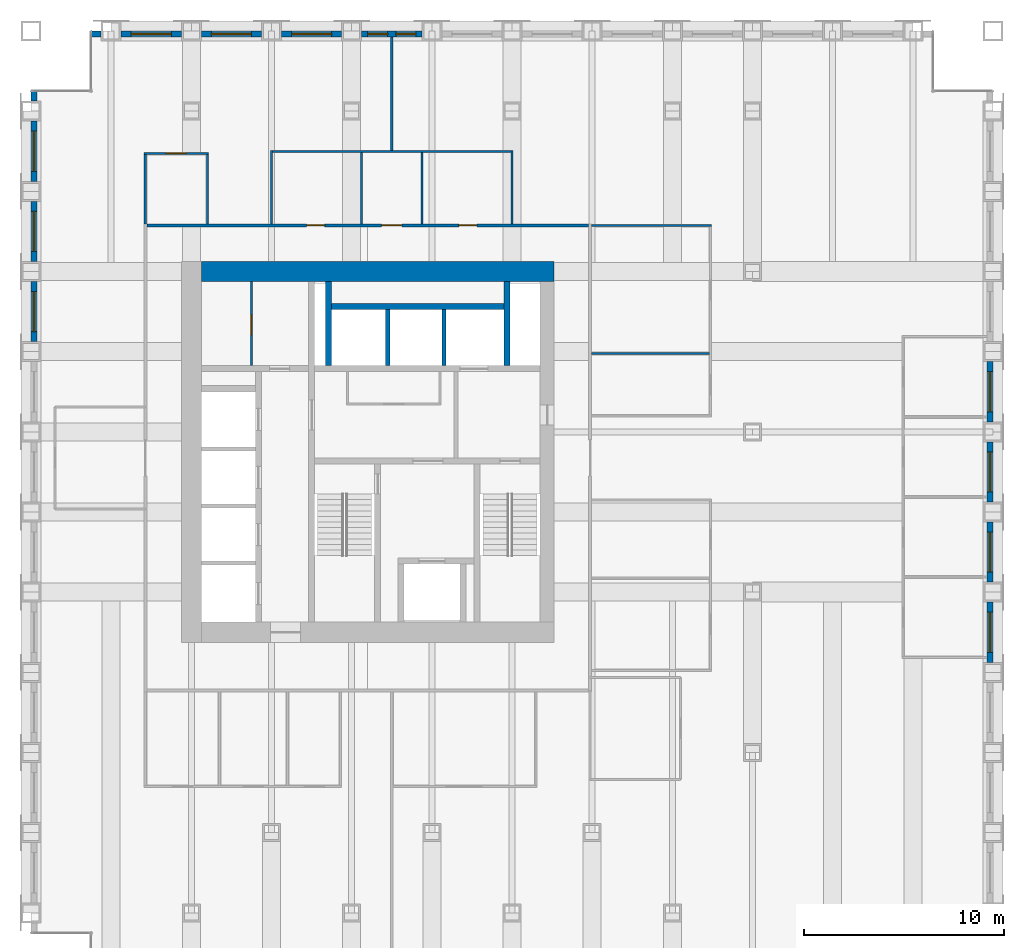
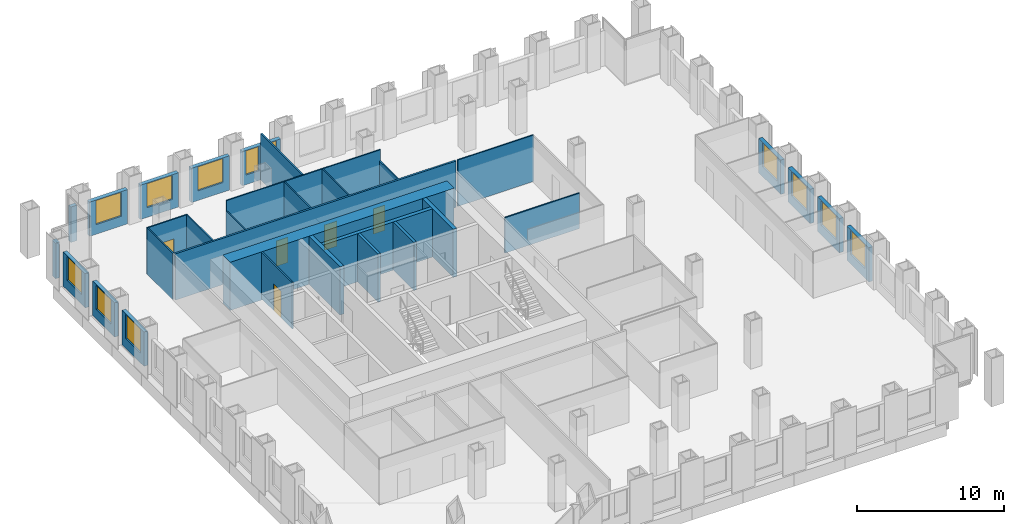
# One storey, part 13 of 16: 32 walls, 12 windows, 5 doors, 17 openings.
"""IFC4 building model written with IfcOpenShell, lengths in metres."""

import ifcopenshell
import ifcopenshell.guid

model = None  # the IFC model being written
_history = None  # IfcOwnerHistory: only IFC2X3 demands one
_inside = {}  # id of a spatial element -> (the spatial element, [elements in it])
_under = {}  # id of a project, library or spatial element -> (it, [spatial elements below it])
_declared = {}  # id of a project -> (the project, [libraries it declares])
_typed = {}  # id of a type object -> (the type object, [elements of that type])
_made_of = {}  # id of a material, layer set ... -> (it, [elements and type objects made of it])


def new_model(schema):
    """Start an empty IFC model of exactly this schema.

    Asked for "IFC4X3", IfcOpenShell would pick the latest addendum, in which some entities
    have other attributes; the version numbers below select the first issue.
    IFC2X3 requires an IfcOwnerHistory on every rooted entity: one is made here for all.
    """
    global model, _history
    if schema == "IFC4X3":
        model = ifcopenshell.file(schema_version=(4, 3, 0, 0))
    else:
        model = ifcopenshell.file(schema=schema)
    _inside.clear()
    _under.clear()
    _declared.clear()
    _typed.clear()
    _made_of.clear()
    _history = None
    if model.schema == "IFC2X3":
        org = make("IfcOrganization", Name="unknown")
        user = make(
            "IfcPersonAndOrganization",
            ThePerson=make("IfcPerson", FamilyName="unknown"),
            TheOrganization=org,
        )
        app = make(
            "IfcApplication",
            ApplicationDeveloper=org,
            Version="unknown",
            ApplicationFullName="unknown",
            ApplicationIdentifier="unknown",
        )
        _history = make(
            "IfcOwnerHistory",
            OwningUser=user,
            OwningApplication=app,
            ChangeAction="ADDED",
            CreationDate=0,
        )
    return model


def make(cls, **values):
    """One entity of the class cls with the attributes given. An attribute that is None is left unset."""
    return model.create_entity(
        cls, **{name: value for name, value in values.items() if value is not None}
    )


def rooted(cls, **values):
    """An entity with a GlobalId (a new one), such as an element, a storey or a relation."""
    return make(cls, GlobalId=ifcopenshell.guid.new(), OwnerHistory=_history, **values)


def si_unit(unit_type, name, prefix=None):
    """IfcSIUnit, for example si_unit("LENGTHUNIT", "METRE", prefix="MILLI")."""
    return make("IfcSIUnit", UnitType=unit_type, Prefix=prefix, Name=name)


def assignment(units):
    """IfcUnitAssignment: the units of a project."""
    return None if units is None else make("IfcUnitAssignment", Units=units)


def point(xyz):
    """IfcCartesianPoint."""
    return None if xyz is None else make("IfcCartesianPoint", Coordinates=xyz)


def direction(xyz):
    """IfcDirection."""
    return None if xyz is None else make("IfcDirection", DirectionRatios=xyz)


def frame(location, z_axis=None, x_axis=None):
    """IfcAxis2Placement3D, a coordinate frame: its origin and axes. An axis left out is left unset."""
    return make(
        "IfcAxis2Placement3D",
        Location=point(location),
        Axis=direction(z_axis),
        RefDirection=direction(x_axis),
    )


def frame_2d(location, x_axis=None):
    """IfcAxis2Placement2D, a coordinate frame in the plane: its origin and x axis."""
    return make(
        "IfcAxis2Placement2D", Location=point(location), RefDirection=direction(x_axis)
    )


def origin():
    """The frame at (0, 0, 0) with its axes left unset."""
    return frame((0.0, 0.0, 0.0))


def place(relative_to, where):
    """IfcLocalPlacement: puts the frame where relative to a parent placement (None: the world)."""
    return make(
        "IfcLocalPlacement", PlacementRelTo=relative_to, RelativePlacement=where
    )


def context(
    kind, dimensions, precision=None, world=None, true_north=None, identifier=None
):
    """IfcGeometricRepresentationContext, for example the 3D "Model" context."""
    return make(
        "IfcGeometricRepresentationContext",
        ContextIdentifier=identifier,
        ContextType=kind,
        CoordinateSpaceDimension=dimensions,
        Precision=precision,
        WorldCoordinateSystem=world,
        TrueNorth=true_north,
    )


def subcontext(parent, identifier, kind, view, scale=None):
    """IfcGeometricRepresentationSubContext, for example "Body" below "Model"."""
    return make(
        "IfcGeometricRepresentationSubContext",
        ContextIdentifier=identifier,
        ContextType=kind,
        ParentContext=parent,
        TargetScale=scale,
        TargetView=view,
    )


def project(units=None, contexts=None):
    """IfcProject with its units and contexts."""
    return rooted(
        "IfcProject",
        Name="project",
        RepresentationContexts=contexts,
        UnitsInContext=assignment(units),
    )


def spatial(cls, under=None, at=None, **own):
    """A site, building, storey or space (cls), placed at a placement, below another one or the project."""
    s = rooted(cls, ObjectPlacement=at, **own)
    if under is not None:
        _under.setdefault(under.id(), (under, []))[1].append(s)
    return s


def profile(cls, at=None, kind="AREA", **sizes):
    """A parametric profile (cls). Its sizes go by their IFC names, for example OverallWidth=200.0."""
    return make(cls, ProfileType=kind, Position=at, **sizes)


def rectangle(**sizes):
    """IfcRectangleProfileDef."""
    return profile("IfcRectangleProfileDef", **sizes)


def extrude(swept, where, along, depth):
    """IfcExtrudedAreaSolid: the profile swept, set in the frame where, extruded along a direction by depth."""
    return make(
        "IfcExtrudedAreaSolid",
        SweptArea=swept,
        Position=where,
        ExtrudedDirection=direction(along),
        Depth=depth,
    )


def shape(context_of_items, identifier, shape_type, items):
    """IfcShapeRepresentation: the items that make up one representation, for example the "Body"."""
    return make(
        "IfcShapeRepresentation",
        ContextOfItems=context_of_items,
        RepresentationIdentifier=identifier,
        RepresentationType=shape_type,
        Items=items,
    )


def material(Name=None, Category=None):
    """IfcMaterial."""
    return make("IfcMaterial", Name=Name, Category=Category)


def layer(
    of_material, thickness, ventilated=None, Name=None, Category=None, Priority=None
):
    """IfcMaterialLayer: one layer of a wall or slab, of a material (None: an air gap)."""
    return make(
        "IfcMaterialLayer",
        Material=of_material,
        LayerThickness=thickness,
        IsVentilated=ventilated,
        Name=Name,
        Category=Category,
        Priority=Priority,
    )


def layer_set(layers, Name=None):
    """IfcMaterialLayerSet."""
    return make("IfcMaterialLayerSet", MaterialLayers=layers, LayerSetName=Name)


def made_of(thing, what):
    """Note that an element or type object is made of a material, layer set ...; save() writes the relation."""
    if what is not None:
        _made_of.setdefault(what.id(), (what, []))[1].append(thing)
    return thing


def type_object(cls, material=None, **own):
    """A type object (cls), such as IfcWallType, which elements share."""
    return made_of(rooted(cls, **own), material)


def element(
    cls,
    number,
    at=None,
    inside=None,
    cuts=None,
    type_object=None,
    material=None,
    context=None,
    identifier="Body",
    shape_type=None,
    held_by="IfcProductDefinitionShape",
    body=None,
    shapes=None,
    **own,
):
    """One element of the class cls, such as IfcWall. Its Tag is "e" and its number.

    at: its placement. inside: the storey or other place that contains it. cuts: it is an
    opening in that element (IfcRelVoidsElement). A single representation is given by context,
    identifier, shape_type and body (its items); several are given by shapes. held_by: the class
    of the entity that holds the representations. save() writes the other relations.
    """
    e = rooted(cls, Tag="e%d" % number, ObjectPlacement=at, **own)
    if body is not None:
        shapes = [shape(context, identifier, shape_type, body)]
    if shapes is not None:
        e.Representation = make(held_by, Representations=shapes)
    if inside is not None:
        _inside.setdefault(inside.id(), (inside, []))[1].append(e)
    if cuts is not None:
        rooted(
            "IfcRelVoidsElement", RelatingBuildingElement=cuts, RelatedOpeningElement=e
        )
    if type_object is not None:
        _typed.setdefault(type_object.id(), (type_object, []))[1].append(e)
    return made_of(e, material)


def fill(opening, filler):
    """IfcRelFillsElement: the door or window that sits in an opening."""
    return rooted(
        "IfcRelFillsElement",
        RelatingOpeningElement=opening,
        RelatedBuildingElement=filler,
    )


def aggregate(whole, parts):
    """IfcRelAggregates: a whole, such as a stair, and the parts it consists of."""
    return rooted("IfcRelAggregates", RelatingObject=whole, RelatedObjects=parts)


def save(model, path):
    """Write the relations noted so far, then the file.

    IfcRelAggregates (storeys below a building ...), IfcRelContainedInSpatialStructure (elements
    in a storey), IfcRelDefinesByType, IfcRelAssociatesMaterial and IfcRelDeclares: one each for
    every whole, place, type object, material and project.
    """
    for whole, parts in _under.values():
        aggregate(whole, parts)
    for where, things in _inside.values():
        rooted(
            "IfcRelContainedInSpatialStructure",
            RelatedElements=things,
            RelatingStructure=where,
        )
    for kind, things in _typed.values():
        rooted("IfcRelDefinesByType", RelatedObjects=things, RelatingType=kind)
    for what, things in _made_of.values():
        rooted("IfcRelAssociatesMaterial", RelatedObjects=things, RelatingMaterial=what)
    for by, libraries in _declared.values():
        rooted("IfcRelDeclares", RelatingContext=by, RelatedDefinitions=libraries)
    model.write(path)


model = new_model("IFC4")

# Units and contexts
model_context = context("Model", 3, precision=1e-05, world=origin(), true_north=direction((0.0, 1.0)))
body_context = subcontext(model_context, "Body", "Model", "MODEL_VIEW")
ifc_project = project(units=[si_unit("LENGTHUNIT", "METRE"), si_unit("AREAUNIT", "SQUARE_METRE"), si_unit("VOLUMEUNIT", "CUBIC_METRE"), si_unit("PLANEANGLEUNIT", "RADIAN"), si_unit("MASSUNIT", "GRAM", prefix="KILO")], contexts=[model_context])

# Site, building, storey
site_placement = place(None, origin())
site = spatial("IfcSite", under=ifc_project, at=site_placement, CompositionType="ELEMENT")
building_placement = place(site_placement, origin())
building = spatial("IfcBuilding", under=site, at=building_placement, Name="Rimbunsela Tower", CompositionType="ELEMENT")
storey_placement = place(building_placement, frame((0.0, 0.0, 81.39990234375)))
storey = spatial("IfcBuildingStorey", under=building, at=storey_placement, Name="L19", CompositionType="ELEMENT", Elevation=81.39990234375)

# Walls
ifc_material_1 = material(Name="Concrete fc' 80 MPa", Category="concrete")
ifc_layer_1 = layer(ifc_material_1, 0.300048828125)
ifc_layer_set_1 = layer_set([ifc_layer_1], Name="Core internal wall 300")
wall_type_1 = type_object("IfcWallType", Name="Core internal wall 300", PredefinedType="SHEAR", material=ifc_layer_set_1)
for number, where, z_axis, x_axis, name in (
    (1, (24.85009765625, 31.300048828125, -0.14990234375), (0.0, 0.0, 1.0), (0.0, 1.0, 0.0), "Riser wall"),
    (2, (33.75, 31.300048828125, -0.14990234375), (0.0, 0.0, 1.0), (0.0, 1.0, 0.0), "Riser wall"),
):
    element("IfcWall", number, at=place(storey_placement, frame(where, z_axis=z_axis, x_axis=x_axis)), inside=storey, type_object=wall_type_1, Name=name, PredefinedType="SHEAR", context=body_context, shape_type="SweptSolid", body=[
        extrude(rectangle(XDim=4.199951171875, YDim=0.300048828125, at=frame_2d((2.10009765625, 0.0))), origin(), (0.0, 0.0, 1.0), 4.0),
    ])
wall_1_placement = place(storey_placement, frame((25.0, 34.25, -0.14990234375), z_axis=(0.0, 0.0, 1.0), x_axis=(1.0, 0.0, 0.0)))
element("IfcWall", 3, at=wall_1_placement, inside=storey, type_object=wall_type_1, Name="Lift shaft rear north", PredefinedType="SHEAR", context=body_context, shape_type="SweptSolid", body=[
    extrude(rectangle(XDim=8.60009765625, YDim=0.300048828125, at=frame_2d((4.300048828125, 0.0))), origin(), (0.0, 0.0, 1.0), 4.0),
])

# Wall, opening, door
ifc_material_2 = material(Name="Concrete blockwork", Category="masonry")
ifc_layer_2 = layer(ifc_material_2, 0.10009765625)
ifc_layer_set_2 = layer_set([ifc_layer_2], Name="Core room partition 100")
wall_type_2 = type_object("IfcWallType", Name="Core room partition 100", PredefinedType="PARTITIONING", material=ifc_layer_set_2)
wall_2_placement = place(storey_placement, frame((21.0, 31.300048828125, 0.0), z_axis=(0.0, 0.0, 1.0), x_axis=(0.0, 1.0, 0.0)))
wall_2 = element("IfcWall", 4, at=wall_2_placement, inside=storey, type_object=wall_type_2, Name="Housekeeping store wall", PredefinedType="PARTITIONING", context=body_context, shape_type="SweptSolid", body=[
    extrude(rectangle(XDim=4.199951171875, YDim=0.10009765625, at=frame_2d((2.10009765625, 0.0))), origin(), (0.0, 0.0, 1.0), 3.85009765625),
])
opening_1_placement = place(wall_2_placement, frame((1.550048828125, 0.0, 0.0)))
opening_1 = element("IfcOpeningElement", 5, at=opening_1_placement, cuts=wall_2, Name="Opening D19", PredefinedType="OPENING", context=body_context, shape_type="SweptSolid", body=[
    extrude(rectangle(XDim=1.0, YDim=2.199951171875, at=frame_2d((0.5, 1.10009765625))), frame((0.0, 0.06005859375, 0.0), z_axis=(0.0, -1.0, 0.0), x_axis=(1.0, 0.0, 0.0)), (0.0, 0.0, 1.0), 0.1201171875),
])
ifc_material_3 = material(Name="Steel door, fire rated", Category="steel")
door_type_1 = type_object("IfcDoorType", Name="Service door 1000 fire rated", OperationType="SINGLE_SWING_LEFT", PredefinedType="DOOR", material=ifc_material_3)
door_1_placement = place(opening_1_placement, origin())
door_1 = element("IfcDoor", 6, at=door_1_placement, inside=storey, type_object=door_type_1, Name="Housekeeping store door", OperationType="SINGLE_SWING_LEFT", OverallHeight=2.199951171875, OverallWidth=1.0, PredefinedType="DOOR", context=body_context, shape_type="SweptSolid", body=[
    extrude(rectangle(XDim=1.0, YDim=2.199951171875, at=frame_2d((0.5, 1.10009765625))), frame((0.0, 0.02490234375, 0.0), z_axis=(0.0, -1.0, 0.0), x_axis=(1.0, 0.0, 0.0)), (0.0, 0.0, 1.0), 0.050048828125),
])
fill(opening_1, door_1)

# Walls
ifc_material_4 = material(Name="Concrete fc' 80 MPa", Category="concrete")
ifc_layer_3 = layer(ifc_material_4, 1.0)
ifc_layer_set_3 = layer_set([ifc_layer_3], Name="Core wall 1000")
wall_type_3 = type_object("IfcWallType", Name="Core wall 1000", PredefinedType="SHEAR", material=ifc_layer_set_3)
wall_3_placement = place(storey_placement, frame((18.5, 36.0, -0.14990234375), z_axis=(0.0, 0.0, 1.0), x_axis=(1.0, 0.0, 0.0)))
element("IfcWall", 7, at=wall_3_placement, inside=storey, type_object=wall_type_3, Name="Core wall north", PredefinedType="SHEAR", context=body_context, shape_type="SweptSolid", body=[
    extrude(rectangle(XDim=17.60009765625, YDim=1.0, at=frame_2d((8.800048828125, 0.0))), origin(), (0.0, 0.0, 1.0), 4.0),
])
ifc_material_5 = material(Name="Concrete blockwork", Category="masonry")
ifc_layer_4 = layer(ifc_material_5, 0.199951171875)
ifc_layer_set_4 = layer_set([ifc_layer_4], Name="Lift shaft wall 200")
wall_type_4 = type_object("IfcWallType", Name="Lift shaft wall 200", PredefinedType="SOLIDWALL", material=ifc_layer_set_4)
for number, where, z_axis, x_axis, name in (
    (8, (27.800048828125, 31.300048828125, -0.14990234375), (0.0, 0.0, 1.0), (0.0, 1.0, 0.0), "Lift shaft separation"),
    (9, (30.60009765625, 31.300048828125, -0.14990234375), (0.0, 0.0, 1.0), (0.0, 1.0, 0.0), "Lift shaft separation"),
):
    element("IfcWall", number, at=place(storey_placement, frame(where, z_axis=z_axis, x_axis=x_axis)), inside=storey, type_object=wall_type_4, Name=name, PredefinedType="SOLIDWALL", context=body_context, shape_type="SweptSolid", body=[
        extrude(rectangle(XDim=2.800048828125, YDim=0.199951171875, at=frame_2d((1.39990234375, 0.0))), origin(), (0.0, 0.0, 1.0), 4.0),
    ])
ifc_material_6 = material(Name="Gypsum board on steel studs", Category="steel")
ifc_layer_5 = layer(ifc_material_6, 0.10009765625)
ifc_layer_set_5 = layer_set([ifc_layer_5], Name="Office partition 100")
wall_type_5 = type_object("IfcWallType", Name="Office partition 100", PredefinedType="PARTITIONING", material=ifc_layer_set_5)
wall_4_placement = place(storey_placement, frame((37.97509765625, 31.89990234375, 0.0), z_axis=(0.0, 0.0, 1.0), x_axis=(1.0, 0.0, 0.0)))
element("IfcWall", 10, at=wall_4_placement, inside=storey, type_object=wall_type_5, Name="Office partition", PredefinedType="PARTITIONING", context=body_context, shape_type="SweptSolid", body=[
    extrude(rectangle(XDim=5.875, YDim=0.10009765625, at=frame_2d((2.9375, 0.0))), origin(), (0.0, 0.0, 1.0), 2.9501953125),
])
wall_5_placement = place(storey_placement, frame((37.97509765625, 38.300048828125, 0.0), z_axis=(0.0, 0.0, 1.0), x_axis=(1.0, 0.0, 0.0)))
element("IfcWall", 11, at=wall_5_placement, inside=storey, type_object=wall_type_5, Name="Office partition", PredefinedType="PARTITIONING", context=body_context, shape_type="SweptSolid", body=[
    extrude(rectangle(XDim=5.974853515625, YDim=0.10009765625, at=frame_2d((2.9873046875, 0.0))), origin(), (0.0, 0.0, 1.0), 3.85009765625),
])

# Wall, opening, door
wall_6_placement = place(storey_placement, frame((15.64990234375, 41.89990234375, 0.0), z_axis=(0.0, 0.0, 1.0), x_axis=(1.0, 0.0, 0.0)))
wall_6 = element("IfcWall", 12, at=wall_6_placement, inside=storey, type_object=wall_type_5, Name="Office partition", PredefinedType="PARTITIONING", context=body_context, shape_type="SweptSolid", body=[
    extrude(rectangle(XDim=3.2001953125, YDim=0.10009765625, at=frame_2d((1.60009765625, 0.0))), origin(), (0.0, 0.0, 1.0), 3.85009765625),
])
opening_2_placement = place(wall_6_placement, frame((1.10009765625, 0.0, 0.0)))
opening_2 = element("IfcOpeningElement", 13, at=opening_2_placement, cuts=wall_6, Name="Opening D16", PredefinedType="OPENING", context=body_context, shape_type="SweptSolid", body=[
    extrude(rectangle(XDim=1.0, YDim=2.199951171875, at=frame_2d((0.5, 1.10009765625))), frame((0.0, 0.06005859375, 0.0), z_axis=(0.0, -1.0, 0.0), x_axis=(1.0, 0.0, 0.0)), (0.0, 0.0, 1.0), 0.1201171875),
])
ifc_material_7 = material(Name="Timber door", Category="wood")
door_type_2 = type_object("IfcDoorType", Name="Office door 1000", OperationType="SINGLE_SWING_LEFT", PredefinedType="DOOR", material=ifc_material_7)
door_2_placement = place(opening_2_placement, origin())
door_2 = element("IfcDoor", 14, at=door_2_placement, inside=storey, type_object=door_type_2, Name="Office door", OperationType="SINGLE_SWING_LEFT", OverallHeight=2.199951171875, OverallWidth=1.0, PredefinedType="DOOR", context=body_context, shape_type="SweptSolid", body=[
    extrude(rectangle(XDim=1.0, YDim=2.199951171875, at=frame_2d((0.5, 1.10009765625))), frame((0.0, 0.02490234375, 0.0), z_axis=(0.0, -1.0, 0.0), x_axis=(1.0, 0.0, 0.0)), (0.0, 0.0, 1.0), 0.050048828125),
])
fill(opening_2, door_2)

# Walls
for number, where, z_axis, x_axis, name in (
    (15, (15.699951171875, 38.375, 0.0), (0.0, 0.0, 1.0), (0.0, 1.0, 0.0), "Office partition"),
    (16, (18.800048828125, 38.375, 0.0), (0.0, 0.0, 1.0), (0.0, 1.0, 0.0), "Office partition"),
):
    element("IfcWall", number, at=place(storey_placement, frame(where, z_axis=z_axis, x_axis=x_axis)), inside=storey, type_object=wall_type_5, Name=name, PredefinedType="PARTITIONING", context=body_context, shape_type="SweptSolid", body=[
        extrude(rectangle(XDim=3.47509765625, YDim=0.10009765625, at=frame_2d((1.737548828125, 0.0))), origin(), (0.0, 0.0, 1.0), 3.85009765625),
    ])

# Wall, opening, window
ifc_material_8 = material(Name="Precast concrete fc' 35 MPa", Category="concrete")
ifc_layer_6 = layer(ifc_material_8, 0.300048828125)
ifc_layer_set_6 = layer_set([ifc_layer_6], Name="Precast concrete fc' 35 MPa")
wall_type_6 = type_object("IfcWallType", Name="Precast facade panel 300", PredefinedType="ELEMENTEDWALL", material=ifc_layer_set_6)
wall_7_placement = place(storey_placement, frame((57.85009765625, 16.5, 0.0), z_axis=(0.0, 0.0, 1.0), x_axis=(0.0, 1.0, 0.0)))
wall_7 = element("IfcWall", 17, at=wall_7_placement, inside=storey, type_object=wall_type_6, Name="Facade panel E L19", PredefinedType="ELEMENTEDWALL", context=body_context, shape_type="SweptSolid", body=[
    extrude(rectangle(XDim=3.0, YDim=0.300048828125, at=frame_2d((1.5, 0.0))), origin(), (0.0, 0.0, 1.0), 2.85009765625),
])
opening_3_placement = place(wall_7_placement, frame((0.5, 0.0, 0.800048828125)))
opening_3 = element("IfcOpeningElement", 18, at=opening_3_placement, cuts=wall_7, Name="Opening W1", PredefinedType="OPENING", context=body_context, shape_type="SweptSolid", body=[
    extrude(rectangle(XDim=2.0, YDim=2.0, at=frame_2d((1.0, 1.0))), frame((0.0, 0.159912109375, 0.0), z_axis=(0.0, -1.0, 0.0), x_axis=(1.0, 0.0, 0.0)), (0.0, 0.0, 1.0), 0.320068359375),
])
ifc_material_9 = material(Name="Clear glass in aluminium frame", Category="aluminium")
window_type_1 = type_object("IfcWindowType", Name="Window W1 2000x2000", PartitioningType="DOUBLE_PANEL_VERTICAL", PredefinedType="WINDOW", material=ifc_material_9)
window_1_placement = place(opening_3_placement, origin())
window_1 = element("IfcWindow", 19, at=window_1_placement, inside=storey, type_object=window_type_1, Name="Window L19", OverallHeight=2.0, OverallWidth=2.0, PartitioningType="SINGLE_PANEL", PredefinedType="WINDOW", context=body_context, shape_type="SweptSolid", body=[
    extrude(rectangle(XDim=2.0, YDim=2.0, at=frame_2d((1.0, 1.0))), frame((0.0, 0.030029296875, 0.0), z_axis=(0.0, -1.0, 0.0), x_axis=(1.0, 0.0, 0.0)), (0.0, 0.0, 1.0), 0.06005859375),
])
fill(opening_3, window_1)

wall_8_placement = place(storey_placement, frame((57.85009765625, 20.5, 0.0), z_axis=(0.0, 0.0, 1.0), x_axis=(0.0, 1.0, 0.0)))
wall_8 = element("IfcWall", 20, at=wall_8_placement, inside=storey, type_object=wall_type_6, Name="Facade panel E L19", PredefinedType="ELEMENTEDWALL", context=body_context, shape_type="SweptSolid", body=[
    extrude(rectangle(XDim=3.0, YDim=0.300048828125, at=frame_2d((1.5, 0.0))), origin(), (0.0, 0.0, 1.0), 2.85009765625),
])
opening_4_placement = place(wall_8_placement, frame((0.5, 0.0, 0.800048828125)))
opening_4 = element("IfcOpeningElement", 21, at=opening_4_placement, cuts=wall_8, Name="Opening W1", PredefinedType="OPENING", context=body_context, shape_type="SweptSolid", body=[
    extrude(rectangle(XDim=2.0, YDim=2.0, at=frame_2d((1.0, 1.0))), frame((0.0, 0.159912109375, 0.0), z_axis=(0.0, -1.0, 0.0), x_axis=(1.0, 0.0, 0.0)), (0.0, 0.0, 1.0), 0.320068359375),
])
window_2_placement = place(opening_4_placement, origin())
window_2 = element("IfcWindow", 22, at=window_2_placement, inside=storey, type_object=window_type_1, Name="Window L19", OverallHeight=2.0, OverallWidth=2.0, PartitioningType="SINGLE_PANEL", PredefinedType="WINDOW", context=body_context, shape_type="SweptSolid", body=[
    extrude(rectangle(XDim=2.0, YDim=2.0, at=frame_2d((1.0, 1.0))), frame((0.0, 0.030029296875, 0.0), z_axis=(0.0, -1.0, 0.0), x_axis=(1.0, 0.0, 0.0)), (0.0, 0.0, 1.0), 0.06005859375),
])
fill(opening_4, window_2)

wall_9_placement = place(storey_placement, frame((57.85009765625, 24.5, 0.0), z_axis=(0.0, 0.0, 1.0), x_axis=(0.0, 1.0, 0.0)))
wall_9 = element("IfcWall", 23, at=wall_9_placement, inside=storey, type_object=wall_type_6, Name="Facade panel E L19", PredefinedType="ELEMENTEDWALL", context=body_context, shape_type="SweptSolid", body=[
    extrude(rectangle(XDim=3.0, YDim=0.300048828125, at=frame_2d((1.5, 0.0))), origin(), (0.0, 0.0, 1.0), 2.85009765625),
])
opening_5_placement = place(wall_9_placement, frame((0.5, 0.0, 0.800048828125)))
opening_5 = element("IfcOpeningElement", 24, at=opening_5_placement, cuts=wall_9, Name="Opening W1", PredefinedType="OPENING", context=body_context, shape_type="SweptSolid", body=[
    extrude(rectangle(XDim=2.0, YDim=2.0, at=frame_2d((1.0, 1.0))), frame((0.0, 0.159912109375, 0.0), z_axis=(0.0, -1.0, 0.0), x_axis=(1.0, 0.0, 0.0)), (0.0, 0.0, 1.0), 0.320068359375),
])
window_3_placement = place(opening_5_placement, origin())
window_3 = element("IfcWindow", 25, at=window_3_placement, inside=storey, type_object=window_type_1, Name="Window L19", OverallHeight=2.0, OverallWidth=2.0, PartitioningType="SINGLE_PANEL", PredefinedType="WINDOW", context=body_context, shape_type="SweptSolid", body=[
    extrude(rectangle(XDim=2.0, YDim=2.0, at=frame_2d((1.0, 1.0))), frame((0.0, 0.030029296875, 0.0), z_axis=(0.0, -1.0, 0.0), x_axis=(1.0, 0.0, 0.0)), (0.0, 0.0, 1.0), 0.06005859375),
])
fill(opening_5, window_3)

wall_10_placement = place(storey_placement, frame((57.85009765625, 28.5, 0.0), z_axis=(0.0, 0.0, 1.0), x_axis=(0.0, 1.0, 0.0)))
wall_10 = element("IfcWall", 26, at=wall_10_placement, inside=storey, type_object=wall_type_6, Name="Facade panel E L19", PredefinedType="ELEMENTEDWALL", context=body_context, shape_type="SweptSolid", body=[
    extrude(rectangle(XDim=3.0, YDim=0.300048828125, at=frame_2d((1.5, 0.0))), origin(), (0.0, 0.0, 1.0), 2.85009765625),
])
opening_6_placement = place(wall_10_placement, frame((0.5, 0.0, 0.800048828125)))
opening_6 = element("IfcOpeningElement", 27, at=opening_6_placement, cuts=wall_10, Name="Opening W1", PredefinedType="OPENING", context=body_context, shape_type="SweptSolid", body=[
    extrude(rectangle(XDim=2.0, YDim=2.0, at=frame_2d((1.0, 1.0))), frame((0.0, 0.159912109375, 0.0), z_axis=(0.0, -1.0, 0.0), x_axis=(1.0, 0.0, 0.0)), (0.0, 0.0, 1.0), 0.320068359375),
])
window_4_placement = place(opening_6_placement, origin())
window_4 = element("IfcWindow", 28, at=window_4_placement, inside=storey, type_object=window_type_1, Name="Window L19", OverallHeight=2.0, OverallWidth=2.0, PartitioningType="SINGLE_PANEL", PredefinedType="WINDOW", context=body_context, shape_type="SweptSolid", body=[
    extrude(rectangle(XDim=2.0, YDim=2.0, at=frame_2d((1.0, 1.0))), frame((0.0, 0.030029296875, 0.0), z_axis=(0.0, -1.0, 0.0), x_axis=(1.0, 0.0, 0.0)), (0.0, 0.0, 1.0), 0.06005859375),
])
fill(opening_6, window_4)

# Wall
wall_11_placement = place(storey_placement, frame((13.5, 47.85009765625, 0.0), z_axis=(0.0, 0.0, 1.0), x_axis=(-1.0, 0.0, 0.0)))
element("IfcWall", 29, at=wall_11_placement, inside=storey, type_object=wall_type_6, Name="Facade panel N L19", PredefinedType="ELEMENTEDWALL", context=body_context, shape_type="SweptSolid", body=[
    extrude(rectangle(XDim=0.469970703125, YDim=0.300048828125, at=frame_2d((0.23486328125, 0.0))), origin(), (0.0, 0.0, 1.0), 2.9501953125),
])

# Wall, opening, window
wall_12_placement = place(storey_placement, frame((17.5, 47.85009765625, 0.0), z_axis=(0.0, 0.0, 1.0), x_axis=(-1.0, 0.0, 0.0)))
wall_12 = element("IfcWall", 30, at=wall_12_placement, inside=storey, type_object=wall_type_6, Name="Facade panel N L19", PredefinedType="ELEMENTEDWALL", context=body_context, shape_type="SweptSolid", body=[
    extrude(rectangle(XDim=3.0, YDim=0.300048828125, at=frame_2d((1.5, 0.0))), origin(), (0.0, 0.0, 1.0), 2.85009765625),
])
opening_7_placement = place(wall_12_placement, frame((0.5, 0.0, 0.800048828125)))
opening_7 = element("IfcOpeningElement", 31, at=opening_7_placement, cuts=wall_12, Name="Opening W1", PredefinedType="OPENING", context=body_context, shape_type="SweptSolid", body=[
    extrude(rectangle(XDim=2.0, YDim=2.0, at=frame_2d((1.0, 1.0))), frame((0.0, 0.159912109375, 0.0), z_axis=(0.0, -1.0, 0.0), x_axis=(1.0, 0.0, 0.0)), (0.0, 0.0, 1.0), 0.320068359375),
])
window_5_placement = place(opening_7_placement, origin())
window_5 = element("IfcWindow", 32, at=window_5_placement, inside=storey, type_object=window_type_1, Name="Window L19", OverallHeight=2.0, OverallWidth=2.0, PartitioningType="SINGLE_PANEL", PredefinedType="WINDOW", context=body_context, shape_type="SweptSolid", body=[
    extrude(rectangle(XDim=2.0, YDim=2.0, at=frame_2d((1.0, 1.0))), frame((0.0, 0.030029296875, 0.0), z_axis=(0.0, -1.0, 0.0), x_axis=(1.0, 0.0, 0.0)), (0.0, 0.0, 1.0), 0.06005859375),
])
fill(opening_7, window_5)

wall_13_placement = place(storey_placement, frame((21.5, 47.85009765625, 0.0), z_axis=(0.0, 0.0, 1.0), x_axis=(-1.0, 0.0, 0.0)))
wall_13 = element("IfcWall", 33, at=wall_13_placement, inside=storey, type_object=wall_type_6, Name="Facade panel N L19", PredefinedType="ELEMENTEDWALL", context=body_context, shape_type="SweptSolid", body=[
    extrude(rectangle(XDim=3.0, YDim=0.300048828125, at=frame_2d((1.5, 0.0))), origin(), (0.0, 0.0, 1.0), 2.85009765625),
])
opening_8_placement = place(wall_13_placement, frame((0.5, 0.0, 0.800048828125)))
opening_8 = element("IfcOpeningElement", 34, at=opening_8_placement, cuts=wall_13, Name="Opening W1", PredefinedType="OPENING", context=body_context, shape_type="SweptSolid", body=[
    extrude(rectangle(XDim=2.0, YDim=2.0, at=frame_2d((1.0, 1.0))), frame((0.0, 0.159912109375, 0.0), z_axis=(0.0, -1.0, 0.0), x_axis=(1.0, 0.0, 0.0)), (0.0, 0.0, 1.0), 0.320068359375),
])
window_6_placement = place(opening_8_placement, origin())
window_6 = element("IfcWindow", 35, at=window_6_placement, inside=storey, type_object=window_type_1, Name="Window L19", OverallHeight=2.0, OverallWidth=2.0, PartitioningType="SINGLE_PANEL", PredefinedType="WINDOW", context=body_context, shape_type="SweptSolid", body=[
    extrude(rectangle(XDim=2.0, YDim=2.0, at=frame_2d((1.0, 1.0))), frame((0.0, 0.030029296875, 0.0), z_axis=(0.0, -1.0, 0.0), x_axis=(1.0, 0.0, 0.0)), (0.0, 0.0, 1.0), 0.06005859375),
])
fill(opening_8, window_6)

wall_14_placement = place(storey_placement, frame((25.5, 47.85009765625, 0.0), z_axis=(0.0, 0.0, 1.0), x_axis=(-1.0, 0.0, 0.0)))
wall_14 = element("IfcWall", 36, at=wall_14_placement, inside=storey, type_object=wall_type_6, Name="Facade panel N L19", PredefinedType="ELEMENTEDWALL", context=body_context, shape_type="SweptSolid", body=[
    extrude(rectangle(XDim=3.0, YDim=0.300048828125, at=frame_2d((1.5, 0.0))), origin(), (0.0, 0.0, 1.0), 2.85009765625),
])
opening_9_placement = place(wall_14_placement, frame((0.5, 0.0, 0.800048828125)))
opening_9 = element("IfcOpeningElement", 37, at=opening_9_placement, cuts=wall_14, Name="Opening W1", PredefinedType="OPENING", context=body_context, shape_type="SweptSolid", body=[
    extrude(rectangle(XDim=2.0, YDim=2.0, at=frame_2d((1.0, 1.0))), frame((0.0, 0.159912109375, 0.0), z_axis=(0.0, -1.0, 0.0), x_axis=(1.0, 0.0, 0.0)), (0.0, 0.0, 1.0), 0.320068359375),
])
window_7_placement = place(opening_9_placement, origin())
window_7 = element("IfcWindow", 38, at=window_7_placement, inside=storey, type_object=window_type_1, Name="Window L19", OverallHeight=2.0, OverallWidth=2.0, PartitioningType="SINGLE_PANEL", PredefinedType="WINDOW", context=body_context, shape_type="SweptSolid", body=[
    extrude(rectangle(XDim=2.0, YDim=2.0, at=frame_2d((1.0, 1.0))), frame((0.0, 0.030029296875, 0.0), z_axis=(0.0, -1.0, 0.0), x_axis=(1.0, 0.0, 0.0)), (0.0, 0.0, 1.0), 0.06005859375),
])
fill(opening_9, window_7)

# Wall, openings, windows
wall_15_placement = place(storey_placement, frame((29.5, 47.85009765625, 0.0), z_axis=(0.0, 0.0, 1.0), x_axis=(-1.0, 0.0, 0.0)))
wall_15 = element("IfcWall", 39, at=wall_15_placement, inside=storey, type_object=wall_type_6, Name="Facade panel N L19", PredefinedType="ELEMENTEDWALL", context=body_context, shape_type="SweptSolid", body=[
    extrude(rectangle(XDim=3.0, YDim=0.300048828125, at=frame_2d((1.5, 0.0))), origin(), (0.0, 0.0, 1.0), 2.85009765625),
])
opening_10_placement = place(wall_15_placement, frame((1.699951171875, 0.0, 0.800048828125)))
opening_10 = element("IfcOpeningElement", 40, at=opening_10_placement, cuts=wall_15, Name="Opening W5", PredefinedType="OPENING", context=body_context, shape_type="SweptSolid", body=[
    extrude(rectangle(XDim=1.0, YDim=2.0, at=frame_2d((0.5, 1.0))), frame((0.0, 0.159912109375, 0.0), z_axis=(0.0, -1.0, 0.0), x_axis=(1.0, 0.0, 0.0)), (0.0, 0.0, 1.0), 0.320068359375),
])
opening_11_placement = place(wall_15_placement, frame((0.300048828125, 0.0, 0.800048828125)))
opening_11 = element("IfcOpeningElement", 41, at=opening_11_placement, cuts=wall_15, Name="Opening W5", PredefinedType="OPENING", context=body_context, shape_type="SweptSolid", body=[
    extrude(rectangle(XDim=1.0, YDim=2.0, at=frame_2d((0.5, 1.0))), frame((0.0, 0.159912109375, 0.0), z_axis=(0.0, -1.0, 0.0), x_axis=(1.0, 0.0, 0.0)), (0.0, 0.0, 1.0), 0.320068359375),
])
ifc_material_10 = material(Name="Clear glass in aluminium frame", Category="aluminium")
window_type_2 = type_object("IfcWindowType", Name="Window W5 1000x2000", PartitioningType="SINGLE_PANEL", PredefinedType="WINDOW", material=ifc_material_10)
window_8_placement = place(opening_10_placement, origin())
window_8 = element("IfcWindow", 42, at=window_8_placement, inside=storey, type_object=window_type_2, Name="Window L19", OverallHeight=2.0, OverallWidth=1.0, PartitioningType="SINGLE_PANEL", PredefinedType="WINDOW", context=body_context, shape_type="SweptSolid", body=[
    extrude(rectangle(XDim=1.0, YDim=2.0, at=frame_2d((0.5, 1.0))), frame((0.0, 0.030029296875, 0.0), z_axis=(0.0, -1.0, 0.0), x_axis=(1.0, 0.0, 0.0)), (0.0, 0.0, 1.0), 0.06005859375),
])
fill(opening_10, window_8)
window_9_placement = place(opening_11_placement, origin())
window_9 = element("IfcWindow", 43, at=window_9_placement, inside=storey, type_object=window_type_2, Name="Window L19", OverallHeight=2.0, OverallWidth=1.0, PartitioningType="SINGLE_PANEL", PredefinedType="WINDOW", context=body_context, shape_type="SweptSolid", body=[
    extrude(rectangle(XDim=1.0, YDim=2.0, at=frame_2d((0.5, 1.0))), frame((0.0, 0.030029296875, 0.0), z_axis=(0.0, -1.0, 0.0), x_axis=(1.0, 0.0, 0.0)), (0.0, 0.0, 1.0), 0.06005859375),
])
fill(opening_11, window_9)

# Wall, opening, window
wall_16_placement = place(storey_placement, frame((10.14990234375, 35.5, 0.0), z_axis=(0.0, 0.0, 1.0), x_axis=(0.0, -1.0, 0.0)))
wall_16 = element("IfcWall", 44, at=wall_16_placement, inside=storey, type_object=wall_type_6, Name="Facade panel W L19", PredefinedType="ELEMENTEDWALL", context=body_context, shape_type="SweptSolid", body=[
    extrude(rectangle(XDim=3.0, YDim=0.300048828125, at=frame_2d((1.5, 0.0))), origin(), (0.0, 0.0, 1.0), 2.85009765625),
])
opening_12_placement = place(wall_16_placement, frame((0.5, 0.0, 0.800048828125)))
opening_12 = element("IfcOpeningElement", 45, at=opening_12_placement, cuts=wall_16, Name="Opening W1", PredefinedType="OPENING", context=body_context, shape_type="SweptSolid", body=[
    extrude(rectangle(XDim=2.0, YDim=2.0, at=frame_2d((1.0, 1.0))), frame((0.0, 0.159912109375, 0.0), z_axis=(0.0, -1.0, 0.0), x_axis=(1.0, 0.0, 0.0)), (0.0, 0.0, 1.0), 0.320068359375),
])
window_10_placement = place(opening_12_placement, origin())
window_10 = element("IfcWindow", 46, at=window_10_placement, inside=storey, type_object=window_type_1, Name="Window L19", OverallHeight=2.0, OverallWidth=2.0, PartitioningType="SINGLE_PANEL", PredefinedType="WINDOW", context=body_context, shape_type="SweptSolid", body=[
    extrude(rectangle(XDim=2.0, YDim=2.0, at=frame_2d((1.0, 1.0))), frame((0.0, 0.030029296875, 0.0), z_axis=(0.0, -1.0, 0.0), x_axis=(1.0, 0.0, 0.0)), (0.0, 0.0, 1.0), 0.06005859375),
])
fill(opening_12, window_10)

wall_17_placement = place(storey_placement, frame((10.14990234375, 39.5, 0.0), z_axis=(0.0, 0.0, 1.0), x_axis=(0.0, -1.0, 0.0)))
wall_17 = element("IfcWall", 47, at=wall_17_placement, inside=storey, type_object=wall_type_6, Name="Facade panel W L19", PredefinedType="ELEMENTEDWALL", context=body_context, shape_type="SweptSolid", body=[
    extrude(rectangle(XDim=3.0, YDim=0.300048828125, at=frame_2d((1.5, 0.0))), origin(), (0.0, 0.0, 1.0), 2.85009765625),
])
opening_13_placement = place(wall_17_placement, frame((0.5, 0.0, 0.800048828125)))
opening_13 = element("IfcOpeningElement", 48, at=opening_13_placement, cuts=wall_17, Name="Opening W1", PredefinedType="OPENING", context=body_context, shape_type="SweptSolid", body=[
    extrude(rectangle(XDim=2.0, YDim=2.0, at=frame_2d((1.0, 1.0))), frame((0.0, 0.159912109375, 0.0), z_axis=(0.0, -1.0, 0.0), x_axis=(1.0, 0.0, 0.0)), (0.0, 0.0, 1.0), 0.320068359375),
])
window_11_placement = place(opening_13_placement, origin())
window_11 = element("IfcWindow", 49, at=window_11_placement, inside=storey, type_object=window_type_1, Name="Window L19", OverallHeight=2.0, OverallWidth=2.0, PartitioningType="SINGLE_PANEL", PredefinedType="WINDOW", context=body_context, shape_type="SweptSolid", body=[
    extrude(rectangle(XDim=2.0, YDim=2.0, at=frame_2d((1.0, 1.0))), frame((0.0, 0.030029296875, 0.0), z_axis=(0.0, -1.0, 0.0), x_axis=(1.0, 0.0, 0.0)), (0.0, 0.0, 1.0), 0.06005859375),
])
fill(opening_13, window_11)

wall_18_placement = place(storey_placement, frame((10.14990234375, 43.5, 0.0), z_axis=(0.0, 0.0, 1.0), x_axis=(0.0, -1.0, 0.0)))
wall_18 = element("IfcWall", 50, at=wall_18_placement, inside=storey, type_object=wall_type_6, Name="Facade panel W L19", PredefinedType="ELEMENTEDWALL", context=body_context, shape_type="SweptSolid", body=[
    extrude(rectangle(XDim=3.0, YDim=0.300048828125, at=frame_2d((1.5, 0.0))), origin(), (0.0, 0.0, 1.0), 2.85009765625),
])
opening_14_placement = place(wall_18_placement, frame((0.5, 0.0, 0.800048828125)))
opening_14 = element("IfcOpeningElement", 51, at=opening_14_placement, cuts=wall_18, Name="Opening W1", PredefinedType="OPENING", context=body_context, shape_type="SweptSolid", body=[
    extrude(rectangle(XDim=2.0, YDim=2.0, at=frame_2d((1.0, 1.0))), frame((0.0, 0.159912109375, 0.0), z_axis=(0.0, -1.0, 0.0), x_axis=(1.0, 0.0, 0.0)), (0.0, 0.0, 1.0), 0.320068359375),
])
window_12_placement = place(opening_14_placement, origin())
window_12 = element("IfcWindow", 52, at=window_12_placement, inside=storey, type_object=window_type_1, Name="Window L19", OverallHeight=2.0, OverallWidth=2.0, PartitioningType="SINGLE_PANEL", PredefinedType="WINDOW", context=body_context, shape_type="SweptSolid", body=[
    extrude(rectangle(XDim=2.0, YDim=2.0, at=frame_2d((1.0, 1.0))), frame((0.0, 0.030029296875, 0.0), z_axis=(0.0, -1.0, 0.0), x_axis=(1.0, 0.0, 0.0)), (0.0, 0.0, 1.0), 0.06005859375),
])
fill(opening_14, window_12)

# Wall
wall_19_placement = place(storey_placement, frame((10.14990234375, 44.969970703125, 0.0), z_axis=(0.0, 0.0, 1.0), x_axis=(0.0, -1.0, 0.0)))
element("IfcWall", 53, at=wall_19_placement, inside=storey, type_object=wall_type_6, Name="Facade panel W L19", PredefinedType="ELEMENTEDWALL", context=body_context, shape_type="SweptSolid", body=[
    extrude(rectangle(XDim=0.469970703125, YDim=0.300048828125, at=frame_2d((0.23486328125, 0.0))), origin(), (0.0, 0.0, 1.0), 2.9501953125),
])

# Wall, openings, doors
ifc_material_11 = material(Name="Fire-rated gypsum board on steel studs, EI 60", Category="steel")
ifc_layer_7 = layer(ifc_material_11, 0.14990234375)
ifc_layer_set_7 = layer_set([ifc_layer_7], Name="Rated corridor wall 150")
wall_type_7 = type_object("IfcWallType", Name="Rated corridor wall 150", PredefinedType="PARTITIONING", material=ifc_layer_set_7)
wall_20_placement = place(storey_placement, frame((15.77490234375, 38.300048828125, 0.0), z_axis=(0.0, 0.0, 1.0), x_axis=(1.0, 0.0, 0.0)))
wall_20 = element("IfcWall", 54, at=wall_20_placement, inside=storey, type_object=wall_type_7, Name="Corridor wall north", PredefinedType="PARTITIONING", context=body_context, shape_type="SweptSolid", body=[
    extrude(rectangle(XDim=22.050048828125, YDim=0.14990234375, at=frame_2d((11.02490234375, 0.0))), origin(), (0.0, 0.0, 1.0), 3.85009765625),
])
opening_15_placement = place(wall_20_placement, frame((7.97509765625, 0.0, 0.0)))
opening_15 = element("IfcOpeningElement", 55, at=opening_15_placement, cuts=wall_20, Name="Opening D04", PredefinedType="OPENING", context=body_context, shape_type="SweptSolid", body=[
    extrude(rectangle(XDim=0.89990234375, YDim=2.10009765625, at=frame_2d((0.449951171875, 1.050048828125))), frame((0.0, 0.0849609375, 0.0), z_axis=(0.0, -1.0, 0.0), x_axis=(1.0, 0.0, 0.0)), (0.0, 0.0, 1.0), 0.169921875),
])
opening_16_placement = place(wall_20_placement, frame((11.72509765625, 0.0, 0.0)))
opening_16 = element("IfcOpeningElement", 56, at=opening_16_placement, cuts=wall_20, Name="Opening D05", PredefinedType="OPENING", context=body_context, shape_type="SweptSolid", body=[
    extrude(rectangle(XDim=1.0, YDim=2.10009765625, at=frame_2d((0.5, 1.050048828125))), frame((0.0, 0.0849609375, 0.0), z_axis=(0.0, -1.0, 0.0), x_axis=(1.0, 0.0, 0.0)), (0.0, 0.0, 1.0), 0.169921875),
])
opening_17_placement = place(wall_20_placement, frame((15.574951171875, 0.0, 0.0)))
opening_17 = element("IfcOpeningElement", 57, at=opening_17_placement, cuts=wall_20, Name="Opening D04", PredefinedType="OPENING", context=body_context, shape_type="SweptSolid", body=[
    extrude(rectangle(XDim=0.89990234375, YDim=2.10009765625, at=frame_2d((0.449951171875, 1.050048828125))), frame((0.0, 0.0849609375, 0.0), z_axis=(0.0, -1.0, 0.0), x_axis=(1.0, 0.0, 0.0)), (0.0, 0.0, 1.0), 0.169921875),
])
ifc_material_12 = material(Name="Timber door", Category="wood")
door_type_3 = type_object("IfcDoorType", Name="Accessible WC door 1000", OperationType="SLIDING_TO_LEFT", PredefinedType="DOOR", material=ifc_material_12)
door_3_placement = place(opening_16_placement, origin())
door_3 = element("IfcDoor", 58, at=door_3_placement, inside=storey, type_object=door_type_3, Name="Accessible WC door", OperationType="SLIDING_TO_LEFT", OverallHeight=2.10009765625, OverallWidth=1.0, PredefinedType="DOOR", context=body_context, shape_type="SweptSolid", body=[
    extrude(rectangle(XDim=1.0, YDim=2.10009765625, at=frame_2d((0.5, 1.050048828125))), frame((0.0, 0.02490234375, 0.0), z_axis=(0.0, -1.0, 0.0), x_axis=(1.0, 0.0, 0.0)), (0.0, 0.0, 1.0), 0.050048828125),
])
fill(opening_16, door_3)
ifc_material_13 = material(Name="Timber door", Category="wood")
door_type_4 = type_object("IfcDoorType", Name="Toilet door 900", OperationType="SINGLE_SWING_LEFT", PredefinedType="DOOR", material=ifc_material_13)
door_4_placement = place(opening_15_placement, origin())
door_4 = element("IfcDoor", 59, at=door_4_placement, inside=storey, type_object=door_type_4, Name="Female WC door", OperationType="SINGLE_SWING_LEFT", OverallHeight=2.10009765625, OverallWidth=0.89990234375, PredefinedType="DOOR", context=body_context, shape_type="SweptSolid", body=[
    extrude(rectangle(XDim=0.89990234375, YDim=2.10009765625, at=frame_2d((0.449951171875, 1.050048828125))), frame((0.0, 0.02490234375, 0.0), z_axis=(0.0, -1.0, 0.0), x_axis=(1.0, 0.0, 0.0)), (0.0, 0.0, 1.0), 0.050048828125),
])
fill(opening_15, door_4)
door_5_placement = place(opening_17_placement, origin())
door_5 = element("IfcDoor", 60, at=door_5_placement, inside=storey, type_object=door_type_4, Name="Male WC door", OperationType="SINGLE_SWING_LEFT", OverallHeight=2.10009765625, OverallWidth=0.89990234375, PredefinedType="DOOR", context=body_context, shape_type="SweptSolid", body=[
    extrude(rectangle(XDim=0.89990234375, YDim=2.10009765625, at=frame_2d((0.449951171875, 1.050048828125))), frame((0.0, 0.02490234375, 0.0), z_axis=(0.0, -1.0, 0.0), x_axis=(1.0, 0.0, 0.0)), (0.0, 0.0, 1.0), 0.050048828125),
])
fill(opening_17, door_5)

# Walls
ifc_material_14 = material(Name="Gypsum board on steel studs", Category="steel")
ifc_layer_8 = layer(ifc_material_14, 0.1201171875)
ifc_layer_set_8 = layer_set([ifc_layer_8], Name="Tenancy partition 120")
wall_type_8 = type_object("IfcWallType", Name="Tenancy partition 120", PredefinedType="PARTITIONING", material=ifc_layer_set_8)
wall_21_placement = place(storey_placement, frame((28.0, 42.050048828125, 0.0), z_axis=(0.0, 0.0, 1.0), x_axis=(0.0, 1.0, 0.0)))
element("IfcWall", 61, at=wall_21_placement, inside=storey, type_object=wall_type_8, Name="Tenancy partition north", PredefinedType="PARTITIONING", context=body_context, shape_type="SweptSolid", body=[
    extrude(rectangle(XDim=5.64990234375, YDim=0.1201171875, at=frame_2d((2.824951171875, 0.0))), origin(), (0.0, 0.0, 1.0), 3.85009765625),
])
ifc_material_15 = material(Name="Concrete blockwork", Category="masonry")
ifc_layer_9 = layer(ifc_material_15, 0.10009765625)
ifc_layer_set_9 = layer_set([ifc_layer_9], Name="Toilet partition 100")
wall_type_9 = type_object("IfcWallType", Name="Toilet partition 100", PredefinedType="PARTITIONING", material=ifc_layer_set_9)
for number, where, z_axis, x_axis, name in (
    (62, (22.0, 38.375, 0.0), (0.0, 0.0, 1.0), (0.0, 1.0, 0.0), "Toilet block wall west"),
    (63, (34.0, 38.375, 0.0), (0.0, 0.0, 1.0), (0.0, 1.0, 0.0), "Toilet block wall east"),
):
    element("IfcWall", number, at=place(storey_placement, frame(where, z_axis=z_axis, x_axis=x_axis)), inside=storey, type_object=wall_type_9, Name=name, PredefinedType="PARTITIONING", context=body_context, shape_type="SweptSolid", body=[
        extrude(rectangle(XDim=3.675048828125, YDim=0.10009765625, at=frame_2d((1.83740234375, 0.0))), origin(), (0.0, 0.0, 1.0), 2.9501953125),
    ])
wall_22_placement = place(storey_placement, frame((21.949951171875, 42.0, 0.0), z_axis=(0.0, 0.0, 1.0), x_axis=(1.0, 0.0, 0.0)))
element("IfcWall", 64, at=wall_22_placement, inside=storey, type_object=wall_type_9, Name="Toilet block wall north", PredefinedType="PARTITIONING", context=body_context, shape_type="SweptSolid", body=[
    extrude(rectangle(XDim=12.10009765625, YDim=0.10009765625, at=frame_2d((6.050048828125, 0.0))), origin(), (0.0, 0.0, 1.0), 3.85009765625),
])
for number, where, z_axis, x_axis, name in (
    (65, (26.5, 38.375, 0.0), (0.0, 0.0, 1.0), (0.0, 1.0, 0.0), "Toilet partition"),
    (66, (29.5, 38.375, 0.0), (0.0, 0.0, 1.0), (0.0, 1.0, 0.0), "Toilet partition"),
):
    element("IfcWall", number, at=place(storey_placement, frame(where, z_axis=z_axis, x_axis=x_axis)), inside=storey, type_object=wall_type_9, Name=name, PredefinedType="PARTITIONING", context=body_context, shape_type="SweptSolid", body=[
        extrude(rectangle(XDim=3.574951171875, YDim=0.10009765625, at=frame_2d((1.78759765625, 0.0))), origin(), (0.0, 0.0, 1.0), 3.85009765625),
    ])

save(model, "model.ifc")
